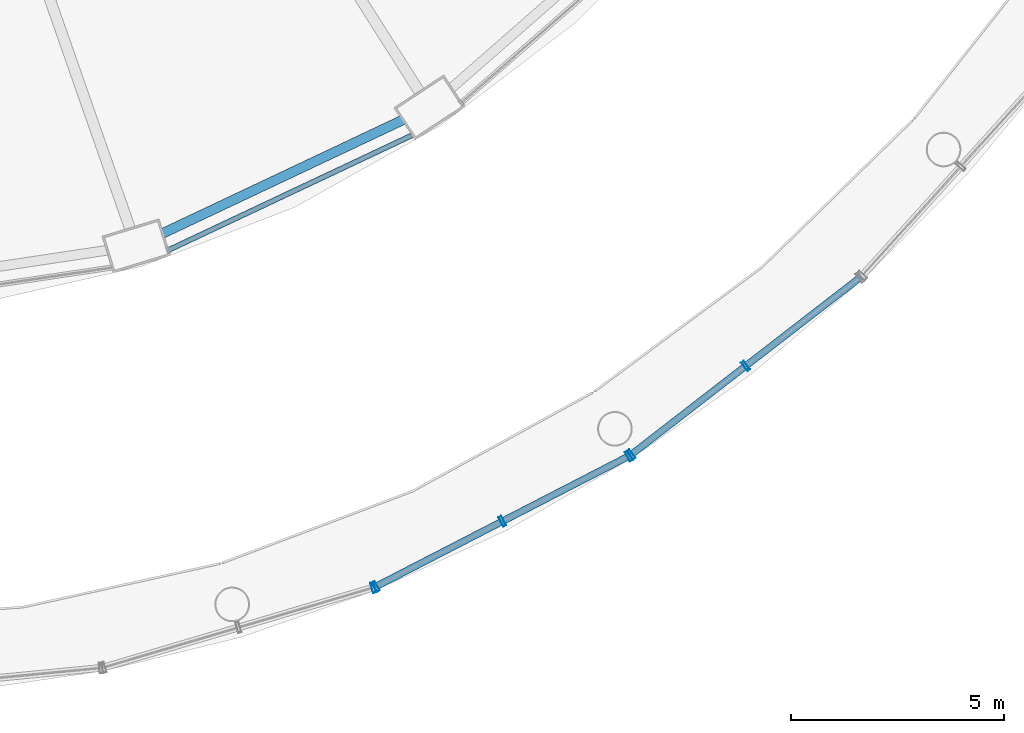
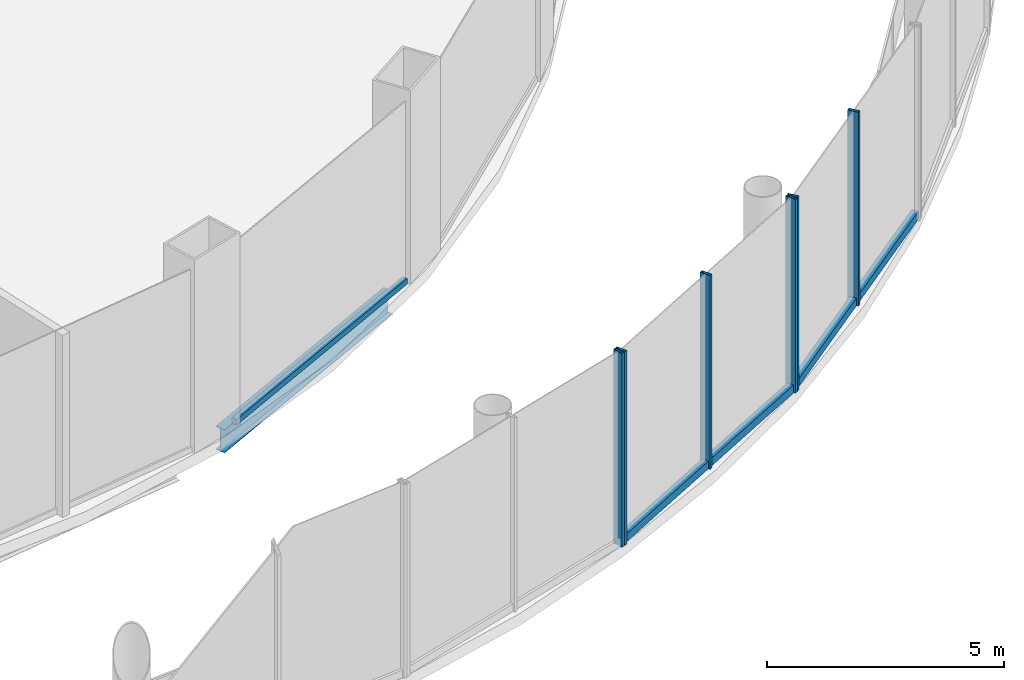
# One storey, part 10 of 47: 9 members, 1 beam, 4 elements without a shape of their own.
"""IFC4 building model written with IfcOpenShell, lengths in metres."""

from ifc_helpers import new_model, si_unit, direction, frame, origin, origin_2d, place, context, subcontext, project, spatial, hollow_rectangle, i_section, extrude, material, layer, layer_set, material_profile, profile_set, type_object, element, aggregate, save


model = new_model("IFC4")

# Units and contexts
model_context = context("Model", 3, precision=1e-05, world=origin(), true_north=direction((0.0, 1.0)))
body_context = subcontext(model_context, "Body", "Model", "MODEL_VIEW")
ifc_project = project(units=[si_unit("LENGTHUNIT", "METRE"), si_unit("AREAUNIT", "SQUARE_METRE"), si_unit("VOLUMEUNIT", "CUBIC_METRE"), si_unit("PLANEANGLEUNIT", "RADIAN"), si_unit("MASSUNIT", "GRAM", prefix="KILO")], contexts=[model_context])

# Site, building, storey
site_placement = place(None, origin())
site = spatial("IfcSite", under=ifc_project, at=site_placement, CompositionType="ELEMENT")
building_placement = place(site_placement, origin())
building = spatial("IfcBuilding", under=site, at=building_placement, Name="Nagisa Residences", CompositionType="ELEMENT")
storey_placement = place(building_placement, frame((0.0, 0.0, 7.0)))
storey = spatial("IfcBuildingStorey", under=building, at=storey_placement, Name="L01", CompositionType="ELEMENT", Elevation=7.0)

# Curtain wall, member
ifc_material_1 = material(Name="Stainless steel curtain wall system", Category="steel")
ifc_layer_1 = layer(ifc_material_1, 0.159912109375)
ifc_layer_set_1 = layer_set([ifc_layer_1], Name="CW3 CURTAIN WALL")
curtain_wall_type_1 = type_object("IfcCurtainWallType", Name="CW3 CURTAIN WALL", PredefinedType="NOTDEFINED", material=ifc_layer_set_1)
curtain_wall_1_placement = place(storey_placement, origin())
curtain_wall_1 = element("IfcCurtainWall", 1, at=curtain_wall_1_placement, inside=storey, type_object=curtain_wall_type_1, Name="cw:CW3:L01:28", PredefinedType="NOTDEFINED")
ifc_material_2 = material(Name="Stainless steel", Category="steel")
ifc_material_profile_1 = material_profile(ifc_material_2, hollow_rectangle(XDim=0.25, YDim=0.080078125, WallThickness=0.008056640625, at=origin_2d()), Name="CW3 MULLION 250x80")
ifc_profile_set_1 = profile_set([ifc_material_profile_1], Name="Stainless steel")
member_type_1 = type_object("IfcMemberType", Name="CW3 MULLION 250x80", PredefinedType="MULLION", material=ifc_profile_set_1)
member_1_placement = place(storey_placement, frame((16.53564453125, -39.40185546875, 0.0), z_axis=(0.0, 0.0, 1.0), x_axis=(-0.283963226669, 0.958835171393, 0.0)))
member_1 = element("IfcMember", 2, at=member_1_placement, type_object=member_type_1, Name="CW3 mullion", PredefinedType="MULLION", context=body_context, shape_type="SweptSolid", body=[
    extrude(hollow_rectangle(XDim=0.25, YDim=0.080078125, WallThickness=0.008056640625, at=origin_2d()), origin(), (0.0, 0.0, 1.0), 5.0),
])
aggregate(curtain_wall_1, [member_1])

# Curtain wall, members
curtain_wall_2_placement = place(storey_placement, origin())
curtain_wall_2 = element("IfcCurtainWall", 3, at=curtain_wall_2_placement, inside=storey, type_object=curtain_wall_type_1, Name="cw:CW3:L01:29", PredefinedType="NOTDEFINED")
member_2_placement = place(storey_placement, frame((16.595703125, -39.377685546875, 0.0), z_axis=(0.0, 0.0, 1.0), x_axis=(-0.45812598783, 0.888887270285, 0.0)))
member_2 = element("IfcMember", 4, at=member_2_placement, type_object=member_type_1, Name="CW3 mullion", PredefinedType="MULLION", context=body_context, shape_type="SweptSolid", body=[
    extrude(hollow_rectangle(XDim=0.25, YDim=0.080078125, WallThickness=0.008056640625, at=origin_2d()), origin(), (0.0, 0.0, 1.0), 5.0),
])
member_3_placement = place(storey_placement, frame((19.561767578125, -37.848876953125, 0.0), z_axis=(0.0, 0.0, 1.0), x_axis=(-0.45812598783, 0.888887270285, 0.0)))
member_3 = element("IfcMember", 5, at=member_3_placement, type_object=member_type_1, Name="CW3 mullion", PredefinedType="MULLION", context=body_context, shape_type="SweptSolid", body=[
    extrude(hollow_rectangle(XDim=0.25, YDim=0.080078125, WallThickness=0.008056640625, at=origin_2d()), origin(), (0.0, 0.0, 1.0), 5.0),
])
member_4_placement = place(storey_placement, frame((22.52783203125, -36.3203125, 0.0), z_axis=(0.0, 0.0, 1.0), x_axis=(-0.45812598783, 0.888887270285, 0.0)))
member_4 = element("IfcMember", 6, at=member_4_placement, type_object=member_type_1, Name="CW3 mullion", PredefinedType="MULLION", context=body_context, shape_type="SweptSolid", body=[
    extrude(hollow_rectangle(XDim=0.25, YDim=0.080078125, WallThickness=0.008056640625, at=origin_2d()), origin(), (0.0, 0.0, 1.0), 5.0),
])

curtain_wall_3_placement = place(storey_placement, origin())
curtain_wall_3 = element("IfcCurtainWall", 7, at=curtain_wall_3_placement, inside=storey, type_object=curtain_wall_type_1, Name="cw:CW3:L01:30", PredefinedType="NOTDEFINED")
member_5_placement = place(storey_placement, frame((22.582763671875, -36.285400390625, 0.0), z_axis=(0.0, 0.0, 1.0), x_axis=(-0.612034757172, 0.790830864353, 0.0)))
member_5 = element("IfcMember", 8, at=member_5_placement, type_object=member_type_1, Name="CW3 mullion", PredefinedType="MULLION", context=body_context, shape_type="SweptSolid", body=[
    extrude(hollow_rectangle(XDim=0.25, YDim=0.080078125, WallThickness=0.008056640625, at=origin_2d()), origin(), (0.0, 0.0, 1.0), 5.0),
])
member_6_placement = place(storey_placement, frame((25.263916015625, -34.210205078125, 0.0), z_axis=(0.0, 0.0, 1.0), x_axis=(-0.612034757172, 0.790830864353, 0.0)))
member_6 = element("IfcMember", 9, at=member_6_placement, type_object=member_type_1, Name="CW3 mullion", PredefinedType="MULLION", context=body_context, shape_type="SweptSolid", body=[
    extrude(hollow_rectangle(XDim=0.25, YDim=0.080078125, WallThickness=0.008056640625, at=origin_2d()), origin(), (0.0, 0.0, 1.0), 5.0),
])

# Member
ifc_material_3 = material(Name="Stainless steel", Category="steel")
ifc_material_profile_2 = material_profile(ifc_material_3, hollow_rectangle(XDim=0.159912109375, YDim=0.199951171875, WallThickness=0.008056640625, at=origin_2d()), Name="CW3 TRANSOM 160x200")
ifc_profile_set_2 = profile_set([ifc_material_profile_2], Name="Stainless steel")
member_type_2 = type_object("IfcMemberType", Name="CW3 TRANSOM 160x200", PredefinedType="USERDEFINED", material=ifc_profile_set_2)
member_7_placement = place(storey_placement, frame((16.56005859375, -39.39599609375, 0.10009765625), z_axis=(0.888887130152, 0.458126259726, 0.0), x_axis=(-0.458126259726, 0.888887130152, 0.0)))
member_7 = element("IfcMember", 10, at=member_7_placement, type_object=member_type_2, Name="CW3 transom", ObjectType="TRANSOM", PredefinedType="USERDEFINED", context=body_context, shape_type="SweptSolid", body=[
    extrude(hollow_rectangle(XDim=0.159912109375, YDim=0.199951171875, WallThickness=0.008056640625, at=origin_2d()), origin(), (0.0, 0.0, 1.0), 6.753662109375),
])

aggregate(curtain_wall_2, [member_2, member_3, member_4, member_7])

member_8_placement = place(storey_placement, frame((22.551025390625, -36.309814453125, 0.10009765625), z_axis=(0.790834819486, 0.612029646576, 0.0), x_axis=(-0.612029646576, 0.790834819486, 0.0)))
member_8 = element("IfcMember", 11, at=member_8_placement, type_object=member_type_2, Name="CW3 transom", ObjectType="TRANSOM", PredefinedType="USERDEFINED", context=body_context, shape_type="SweptSolid", body=[
    extrude(hollow_rectangle(XDim=0.159912109375, YDim=0.199951171875, WallThickness=0.008056640625, at=origin_2d()), origin(), (0.0, 0.0, 1.0), 6.861083984375),
])

aggregate(curtain_wall_3, [member_5, member_6, member_8])

# Curtain wall, member
ifc_material_4 = material(Name="Stainless steel curtain wall system", Category="steel")
ifc_layer_2 = layer(ifc_material_4, 0.159912109375)
ifc_layer_set_2 = layer_set([ifc_layer_2], Name="CW6 CURTAIN WALL")
curtain_wall_type_2 = type_object("IfcCurtainWallType", Name="CW6 CURTAIN WALL", PredefinedType="NOTDEFINED", material=ifc_layer_set_2)
curtain_wall_4_placement = place(storey_placement, origin())
curtain_wall_4 = element("IfcCurtainWall", 12, at=curtain_wall_4_placement, inside=storey, type_object=curtain_wall_type_2, Name="cw:CW6:L01:38", PredefinedType="NOTDEFINED")
ifc_material_5 = material(Name="Stainless steel", Category="steel")
ifc_material_profile_3 = material_profile(ifc_material_5, hollow_rectangle(XDim=0.1201171875, YDim=0.14990234375, WallThickness=0.008056640625, at=origin_2d()), Name="CW6 TRANSOM 120x150")
ifc_profile_set_3 = profile_set([ifc_material_profile_3], Name="Stainless steel")
member_type_3 = type_object("IfcMemberType", Name="CW6 TRANSOM 120x150", PredefinedType="USERDEFINED", material=ifc_profile_set_3)
member_9_placement = place(storey_placement, frame((11.704833984375, -31.504638671875, 0.074951171875), z_axis=(0.904558144684, 0.426350281911, 0.0), x_axis=(-0.426350281911, 0.904558144684, 0.0)))
member_9 = element("IfcMember", 13, at=member_9_placement, type_object=member_type_3, Name="CW6 transom", ObjectType="TRANSOM", PredefinedType="USERDEFINED", context=body_context, shape_type="SweptSolid", body=[
    extrude(hollow_rectangle(XDim=0.1201171875, YDim=0.14990234375, WallThickness=0.008056640625, at=origin_2d()), origin(), (0.0, 0.0, 1.0), 6.33203125),
])
aggregate(curtain_wall_4, [member_9])

# Beam
ifc_material_6 = material(Name="Steel ASTM A572 Gr 50", Category="steel")
ifc_material_profile_4 = material_profile(ifc_material_6, i_section(OverallWidth=0.22802734375, OverallDepth=0.60302734375, WebThickness=0.010498046875, FlangeThickness=0.014892578125, at=origin_2d()), Name="W610x101")
ifc_profile_set_4 = profile_set([ifc_material_profile_4], Name="Steel ASTM A572 Gr 50")
beam_type = type_object("IfcBeamType", Name="Perimeter ring beam W610x101", PredefinedType="BEAM", material=ifc_profile_set_4)
beam_placement = place(storey_placement, frame((11.597900390625, -31.098876953125, -0.6015625), z_axis=(0.904215426643, 0.427076646774, 0.0), x_axis=(-0.427076646774, 0.904215426643, 0.0)))
element("IfcBeam", 14, at=beam_placement, inside=storey, type_object=beam_type, Name="beam:L01:pb20", PredefinedType="BEAM", context=body_context, shape_type="SweptSolid", body=[
    extrude(i_section(OverallWidth=0.22802734375, OverallDepth=0.60302734375, WebThickness=0.010498046875, FlangeThickness=0.014892578125, at=origin_2d()), origin(), (0.0, 0.0, 1.0), 6.2275390625),
])

save(model, "model.ifc")
